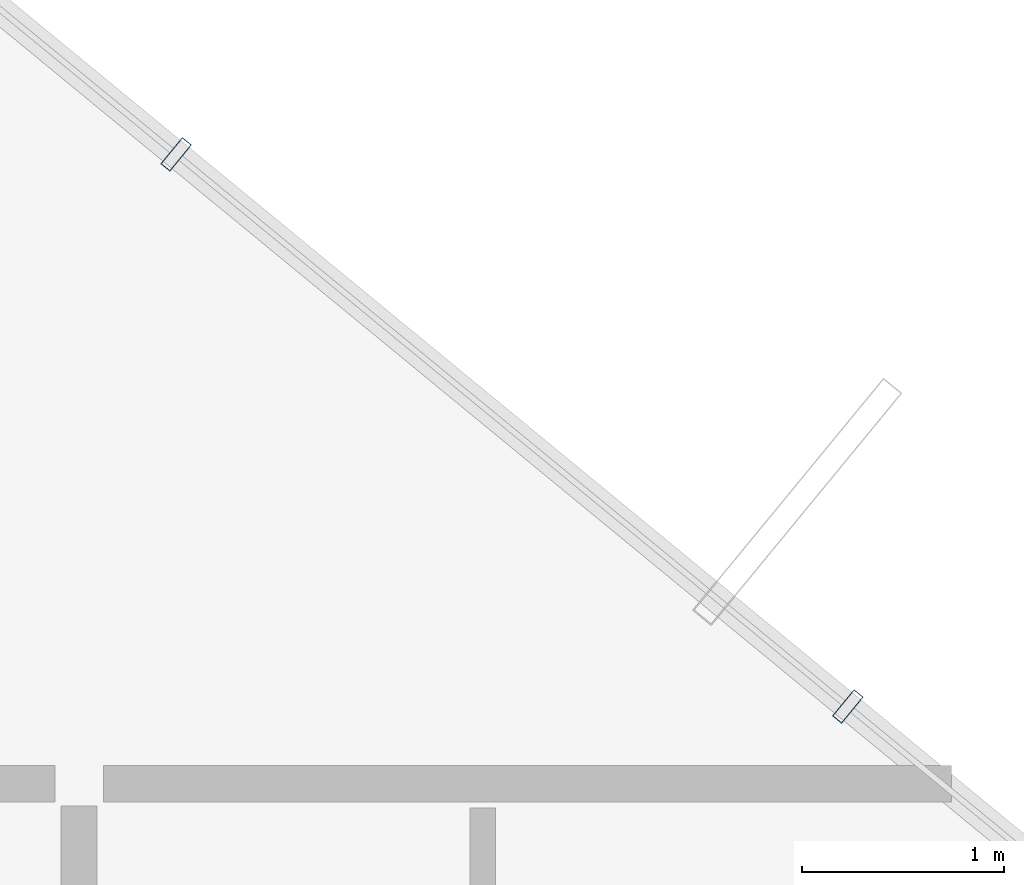
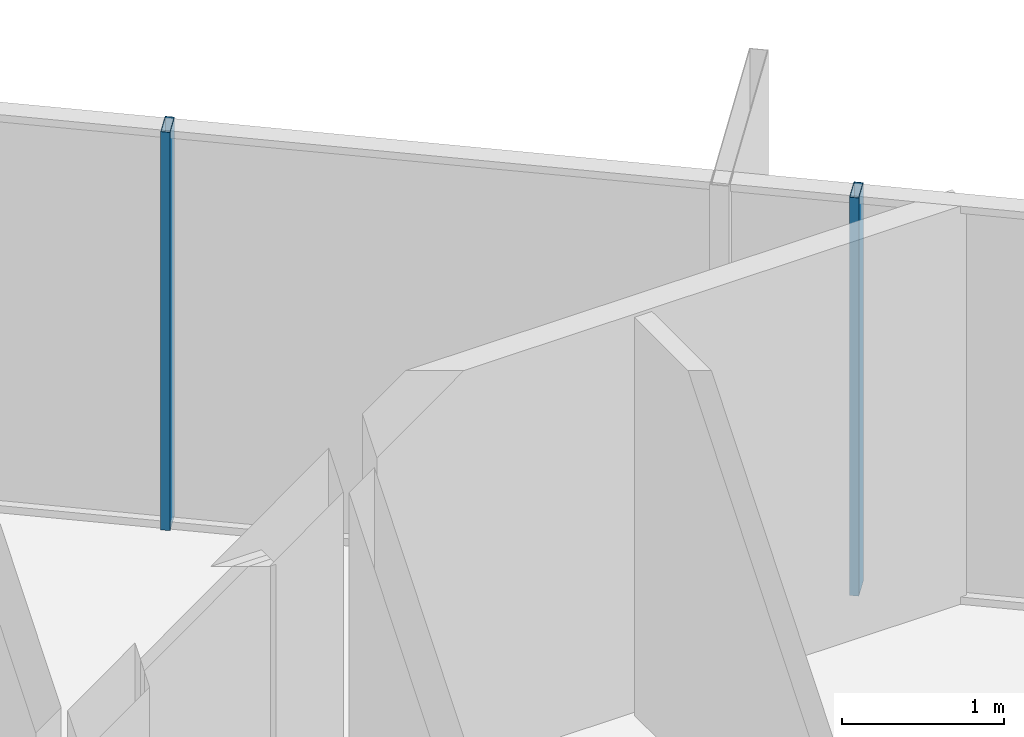
# One storey, part 23 of 30: 2 members, 1 element without a shape of its own.
"""IFC4 building model written with IfcOpenShell, lengths in metres."""

from ifc_helpers import new_model, si_unit, direction, frame, origin, origin_2d, place, context, subcontext, project, spatial, hollow_rectangle, extrude, source, transform, mapped, material, layer, layer_set, material_profile, profile_set, type_object, element, aggregate, save


model = new_model("IFC4")

# Units and contexts
model_context = context("Model", 3, precision=1e-05, world=origin(), true_north=direction((0.0, 1.0)))
body_context = subcontext(model_context, "Body", "Model", "MODEL_VIEW")
ifc_project = project(units=[si_unit("LENGTHUNIT", "METRE"), si_unit("AREAUNIT", "SQUARE_METRE"), si_unit("VOLUMEUNIT", "CUBIC_METRE"), si_unit("PLANEANGLEUNIT", "RADIAN"), si_unit("MASSUNIT", "GRAM", prefix="KILO")], contexts=[model_context])

# Site, building, storey
site_placement = place(None, origin())
site = spatial("IfcSite", under=ifc_project, at=site_placement, CompositionType="ELEMENT")
building_placement = place(site_placement, origin())
building = spatial("IfcBuilding", under=site, at=building_placement, Name="Veraguas Prism Commons", CompositionType="ELEMENT")
storey_placement = place(building_placement, frame((0.0, 0.0, 95.949951171875)))
storey = spatial("IfcBuildingStorey", under=building, at=storey_placement, Name="L26", CompositionType="ELEMENT", Elevation=95.949951171875)

# Curtain wall, members
ifc_material = material(Name="Anodised aluminium EN AW-6063 T6", Category="aluminium")
ifc_layer = layer(ifc_material, 0.169921875, Name="Unitised Flush Curtain Wall Zone 2", Category="aluminium")
ifc_layer_set = layer_set([ifc_layer], Name="Anodised aluminium EN AW-6063 T6")
curtain_wall_type = type_object("IfcCurtainWallType", Name="Unitised Flush Curtain Wall Zone 2", PredefinedType="NOTDEFINED", material=ifc_layer_set)
curtain_wall_placement = place(storey_placement, origin())
curtain_wall = element("IfcCurtainWall", 1, at=curtain_wall_placement, inside=storey, type_object=curtain_wall_type, Name="Tower Facade Curtain Wall L26-F1", PredefinedType="NOTDEFINED")
ifc_material_profile = material_profile(ifc_material, hollow_rectangle(XDim=0.06005859375, YDim=0.169921875, WallThickness=0.00390625, at=origin_2d()), Name="AL60X170X4")
ifc_profile_set = profile_set([ifc_material_profile], Name="Anodised aluminium EN AW-6063 T6")
member_type = type_object("IfcMemberType", Name="Curtain Wall Mullion Lower AL 60x170x4", PredefinedType="MULLION", material=ifc_profile_set)
shared_shape = source(origin(), body_context, "Body", "SweptSolid", [
    extrude(hollow_rectangle(XDim=0.06005859375, YDim=0.169921875, WallThickness=0.00390625, at=origin_2d()), origin(), (0.0, 0.0, 1.0), 3.0),
])
member_1_placement = place(storey_placement, frame((39.50927734375, 36.082763671875, 0.0), z_axis=(0.0, 0.0, 1.0), x_axis=(-0.772511963678, 0.635000209429, 0.0)))
member_1 = element("IfcMember", 2, at=member_1_placement, type_object=member_type, Name="CW-Z2 Mullion 2", PredefinedType="MULLION", context=body_context, shape_type="MappedRepresentation", body=[
    mapped(shared_shape, transform((0.0, 0.0, 0.0), scale=1.0)),
])
member_2_placement = place(storey_placement, frame((36.180908203125, 38.818603515625, 0.0), z_axis=(0.0, 0.0, 1.0), x_axis=(-0.772511963678, 0.635000209429, 0.0)))
member_2 = element("IfcMember", 3, at=member_2_placement, type_object=member_type, Name="CW-Z2 Mullion 3", PredefinedType="MULLION", context=body_context, shape_type="MappedRepresentation", body=[
    mapped(shared_shape, transform((0.0, 0.0, 0.0), scale=1.0)),
])
aggregate(curtain_wall, [member_1, member_2])

save(model, "model.ifc")
